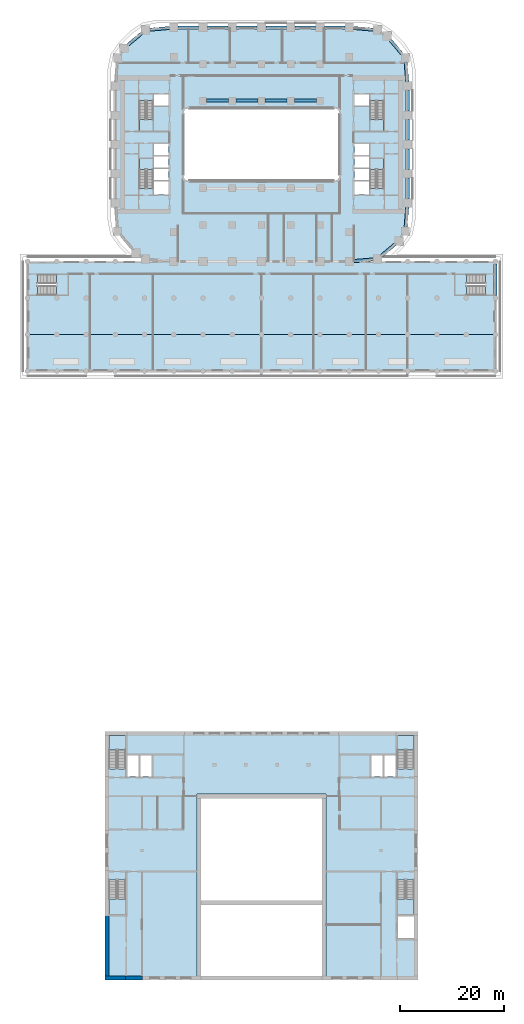
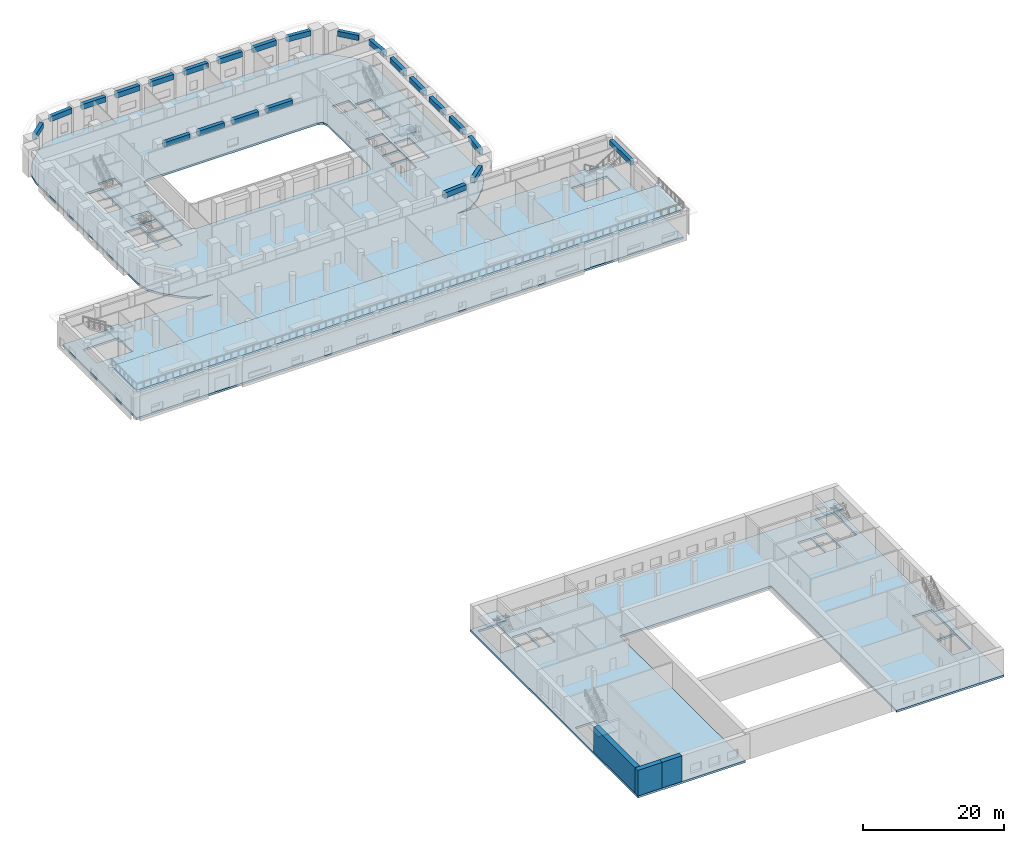
# One storey, part 2 of 23: 23 beams, 13 slabs, 3 walls, 10 elements without a shape of their own.
"""IFC4 building model written with IfcOpenShell, lengths in metres."""

from ifc_helpers import new_model, si_unit, direction, frame, frame_2d, origin, origin_2d, place, context, subcontext, project, spatial, polyline, rectangle, outline, extrude, material, layer, layer_set, material_profile, profile_set, type_object, element, aggregate, save


model = new_model("IFC4")

# Units and contexts
model_context = context("Model", 3, precision=1e-05, world=origin(), true_north=direction((0.0, 1.0)))
body_context = subcontext(model_context, "Body", "Model", "MODEL_VIEW")
ifc_project = project(units=[si_unit("LENGTHUNIT", "METRE"), si_unit("AREAUNIT", "SQUARE_METRE"), si_unit("VOLUMEUNIT", "CUBIC_METRE"), si_unit("PLANEANGLEUNIT", "RADIAN"), si_unit("MASSUNIT", "GRAM", prefix="KILO")], contexts=[model_context])

# Site, building, storey
site_placement = place(None, origin())
site = spatial("IfcSite", under=ifc_project, at=site_placement, CompositionType="ELEMENT")
building_placement = place(site_placement, origin())
building = spatial("IfcBuilding", under=site, at=building_placement, Name="Kiln Ring Residences", CompositionType="ELEMENT")
storey_placement = place(building_placement, frame((0.0, 0.0, 16.10009765625)))
storey = spatial("IfcBuildingStorey", under=building, at=storey_placement, Name="L03", CompositionType="ELEMENT", Elevation=16.10009765625)

# Beams
ifc_material_1 = material(Name="Concrete C50/60", Category="concrete")
ifc_material_profile_1 = material_profile(ifc_material_1, rectangle(XDim=0.60009765625, YDim=0.800048828125, at=origin_2d()), Name="RC600x800")
ifc_profile_set_1 = profile_set([ifc_material_profile_1], Name="Concrete C50/60")
beam_type_1 = type_object("IfcBeamType", Name="Ring beam RC600x800 C50/60", PredefinedType="BEAM", material=ifc_profile_set_1)
beam_1_placement = place(storey_placement, frame((44.800048828125, -22.89990234375, 4.0498046875), z_axis=(0.0, -1.0, 0.0), x_axis=(1.0, 0.0, 0.0)))
element("IfcBeam", 1, at=beam_1_placement, inside=storey, type_object=beam_type_1, Name="Ring beam L03 20", PredefinedType="BEAM", context=body_context, shape_type="SweptSolid", body=[
    extrude(rectangle(XDim=0.60009765625, YDim=0.800048828125, at=origin_2d()), origin(), (0.0, 0.0, 1.0), 6.0),
])
for number, where, z_axis, x_axis, name in (
    (2, (-10.5, 8.39990234375, 4.0498046875), (1.0, 0.0, 0.0), (0.0, 1.0, 0.0), "Ring beam L03 27"),
    (3, (-4.89990234375, 8.39990234375, 4.0498046875), (1.0, 0.0, 0.0), (0.0, 1.0, 0.0), "Ring beam L03 28"),
    (4, (0.699951171875, 8.39990234375, 4.0498046875), (1.0, 0.0, 0.0), (0.0, 1.0, 0.0), "Ring beam L03 29"),
    (5, (6.300048828125, 8.39990234375, 4.0498046875), (1.0, 0.0, 0.0), (0.0, 1.0, 0.0), "Ring beam L03 30"),
):
    element("IfcBeam", number, at=place(storey_placement, frame(where, z_axis=z_axis, x_axis=x_axis)), inside=storey, type_object=beam_type_1, Name=name, PredefinedType="BEAM", context=body_context, shape_type="SweptSolid", body=[
        extrude(rectangle(XDim=0.60009765625, YDim=0.800048828125, at=origin_2d()), origin(), (0.0, 0.0, 1.0), 4.199951171875),
    ])
ifc_material_2 = material(Name="Concrete C50/60", Category="concrete")
ifc_material_profile_2 = material_profile(ifc_material_2, rectangle(XDim=0.60009765625, YDim=0.89990234375, at=origin_2d()), Name="RC600x900")
ifc_profile_set_2 = profile_set([ifc_material_profile_2], Name="Concrete C50/60")
beam_type_2 = type_object("IfcBeamType", Name="Spandrel beam RC600x900 C50/60", PredefinedType="SPANDREL", material=ifc_profile_set_2)
beam_2_placement = place(storey_placement, frame((17.64990234375, -22.327392578125, 4.0), z_axis=(0.996374977292, 0.08506999839, 0.0), x_axis=(-0.08506999839, 0.996374977292, 0.0)))
element("IfcBeam", 6, at=beam_2_placement, inside=storey, type_object=beam_type_2, Name="Spandrel beam L03 8", PredefinedType="SPANDREL", context=body_context, shape_type="SweptSolid", body=[
    extrude(rectangle(XDim=0.60009765625, YDim=0.89990234375, at=origin_2d()), origin(), (0.0, 0.0, 1.0), 3.72216796875),
])
beam_3_placement = place(storey_placement, frame((23.05859375, -21.221923828125, 4.0), z_axis=(0.764713647219, 0.644370264489, 0.0), x_axis=(-0.644370264489, 0.764713647219, 0.0)))
element("IfcBeam", 7, at=beam_3_placement, inside=storey, type_object=beam_type_2, Name="Spandrel beam L03 9", PredefinedType="SPANDREL", context=body_context, shape_type="SweptSolid", body=[
    extrude(rectangle(XDim=0.60009765625, YDim=0.89990234375, at=origin_2d()), origin(), (0.0, 0.0, 1.0), 3.205322265625),
])
beam_4_placement = place(storey_placement, frame((27.610595703125, -15.7587890625, 4.0), z_axis=(0.085135112999, 0.996369415696, 0.0), x_axis=(-0.996369415696, 0.085135112999, 0.0)))
element("IfcBeam", 8, at=beam_4_placement, inside=storey, type_object=beam_type_2, Name="Spandrel beam L03 10", PredefinedType="SPANDREL", context=body_context, shape_type="SweptSolid", body=[
    extrude(rectangle(XDim=0.60009765625, YDim=0.89990234375, at=origin_2d()), origin(), (0.0, 0.0, 1.0), 3.72216796875),
])
beam_5_placement = place(storey_placement, frame((28.0, -10.35009765625, 4.0), z_axis=(0.0, 1.0, 0.0), x_axis=(-1.0, 0.0, 0.0)))
element("IfcBeam", 9, at=beam_5_placement, inside=storey, type_object=beam_type_2, Name="Spandrel beam L03 11", PredefinedType="SPANDREL", context=body_context, shape_type="SweptSolid", body=[
    extrude(rectangle(XDim=0.60009765625, YDim=0.89990234375, at=origin_2d()), origin(), (0.0, 0.0, 1.0), 3.900146484375),
])
for number, where, z_axis, x_axis, name in (
    (10, (28.0, -4.75, 4.0), (0.0, 1.0, 0.0), (-1.0, 0.0, 0.0), "Spandrel beam L03 12"),
    (11, (28.0, 0.85009765625, 4.0), (0.0, 1.0, 0.0), (-1.0, 0.0, 0.0), "Spandrel beam L03 13"),
):
    element("IfcBeam", number, at=place(storey_placement, frame(where, z_axis=z_axis, x_axis=x_axis)), inside=storey, type_object=beam_type_2, Name=name, PredefinedType="SPANDREL", context=body_context, shape_type="SweptSolid", body=[
        extrude(rectangle(XDim=0.60009765625, YDim=0.89990234375, at=origin_2d()), origin(), (0.0, 0.0, 1.0), 3.89990234375),
    ])
beam_6_placement = place(storey_placement, frame((28.0, 6.449951171875, 4.0), z_axis=(0.0, 1.0, 0.0), x_axis=(-1.0, 0.0, 0.0)))
element("IfcBeam", 12, at=beam_6_placement, inside=storey, type_object=beam_type_2, Name="Spandrel beam L03 14", PredefinedType="SPANDREL", context=body_context, shape_type="SweptSolid", body=[
    extrude(rectangle(XDim=0.60009765625, YDim=0.89990234375, at=origin_2d()), origin(), (0.0, 0.0, 1.0), 3.900146484375),
])
beam_7_placement = place(storey_placement, frame((27.927490234375, 12.050048828125, 4.0), z_axis=(-0.085135112999, 0.996369415696, 0.0), x_axis=(-0.996369415696, -0.085135112999, 0.0)))
element("IfcBeam", 13, at=beam_7_placement, inside=storey, type_object=beam_type_2, Name="Spandrel beam L03 15", PredefinedType="SPANDREL", context=body_context, shape_type="SweptSolid", body=[
    extrude(rectangle(XDim=0.60009765625, YDim=0.89990234375, at=origin_2d()), origin(), (0.0, 0.0, 1.0), 3.72216796875),
])
beam_8_placement = place(storey_placement, frame((26.82177734375, 17.458740234375, 4.0), z_axis=(-0.644370264489, 0.764713647219, 0.0), x_axis=(-0.764713647219, -0.644370264489, 0.0)))
element("IfcBeam", 14, at=beam_8_placement, inside=storey, type_object=beam_type_2, Name="Spandrel beam L03 16", PredefinedType="SPANDREL", context=body_context, shape_type="SweptSolid", body=[
    extrude(rectangle(XDim=0.60009765625, YDim=0.89990234375, at=origin_2d()), origin(), (0.0, 0.0, 1.0), 3.205322265625),
])
beam_9_placement = place(storey_placement, frame((21.358642578125, 22.0107421875, 4.0), z_axis=(-0.996374977292, 0.08506999839, 0.0), x_axis=(-0.08506999839, -0.996374977292, 0.0)))
element("IfcBeam", 15, at=beam_9_placement, inside=storey, type_object=beam_type_2, Name="Spandrel beam L03 17", PredefinedType="SPANDREL", context=body_context, shape_type="SweptSolid", body=[
    extrude(rectangle(XDim=0.60009765625, YDim=0.89990234375, at=origin_2d()), origin(), (0.0, 0.0, 1.0), 3.72216796875),
])
beam_10_placement = place(storey_placement, frame((15.949951171875, 22.39990234375, 4.0), z_axis=(-1.0, 0.0, 0.0), x_axis=(0.0, -1.0, 0.0)))
element("IfcBeam", 16, at=beam_10_placement, inside=storey, type_object=beam_type_2, Name="Spandrel beam L03 18", PredefinedType="SPANDREL", context=body_context, shape_type="SweptSolid", body=[
    extrude(rectangle(XDim=0.60009765625, YDim=0.89990234375, at=origin_2d()), origin(), (0.0, 0.0, 1.0), 3.89990234375),
])
beam_11_placement = place(storey_placement, frame((10.35009765625, 22.39990234375, 4.0), z_axis=(-1.0, 0.0, 0.0), x_axis=(0.0, -1.0, 0.0)))
element("IfcBeam", 17, at=beam_11_placement, inside=storey, type_object=beam_type_2, Name="Spandrel beam L03 19", PredefinedType="SPANDREL", context=body_context, shape_type="SweptSolid", body=[
    extrude(rectangle(XDim=0.60009765625, YDim=0.89990234375, at=origin_2d()), origin(), (0.0, 0.0, 1.0), 3.900146484375),
])
for number, where, z_axis, x_axis, name in (
    (18, (4.75, 22.39990234375, 4.0), (-1.0, 0.0, 0.0), (0.0, -1.0, 0.0), "Spandrel beam L03 20"),
    (19, (-0.85009765625, 22.39990234375, 4.0), (-1.0, 0.0, 0.0), (0.0, -1.0, 0.0), "Spandrel beam L03 21"),
):
    element("IfcBeam", number, at=place(storey_placement, frame(where, z_axis=z_axis, x_axis=x_axis)), inside=storey, type_object=beam_type_2, Name=name, PredefinedType="SPANDREL", context=body_context, shape_type="SweptSolid", body=[
        extrude(rectangle(XDim=0.60009765625, YDim=0.89990234375, at=origin_2d()), origin(), (0.0, 0.0, 1.0), 3.89990234375),
    ])
beam_12_placement = place(storey_placement, frame((-6.449951171875, 22.39990234375, 4.0), z_axis=(-1.0, 0.0, 0.0), x_axis=(0.0, -1.0, 0.0)))
element("IfcBeam", 20, at=beam_12_placement, inside=storey, type_object=beam_type_2, Name="Spandrel beam L03 22", PredefinedType="SPANDREL", context=body_context, shape_type="SweptSolid", body=[
    extrude(rectangle(XDim=0.60009765625, YDim=0.89990234375, at=origin_2d()), origin(), (0.0, 0.0, 1.0), 3.900146484375),
])
beam_13_placement = place(storey_placement, frame((-12.050048828125, 22.39990234375, 4.0), z_axis=(-1.0, 0.0, 0.0), x_axis=(0.0, -1.0, 0.0)))
element("IfcBeam", 21, at=beam_13_placement, inside=storey, type_object=beam_type_2, Name="Spandrel beam L03 23", PredefinedType="SPANDREL", context=body_context, shape_type="SweptSolid", body=[
    extrude(rectangle(XDim=0.60009765625, YDim=0.89990234375, at=origin_2d()), origin(), (0.0, 0.0, 1.0), 3.89990234375),
])
beam_14_placement = place(storey_placement, frame((-17.64990234375, 22.327392578125, 4.0), z_axis=(-0.996374977292, -0.08506999839, 0.0), x_axis=(0.08506999839, -0.996374977292, 0.0)))
element("IfcBeam", 22, at=beam_14_placement, inside=storey, type_object=beam_type_2, Name="Spandrel beam L03 24", PredefinedType="SPANDREL", context=body_context, shape_type="SweptSolid", body=[
    extrude(rectangle(XDim=0.60009765625, YDim=0.89990234375, at=origin_2d()), origin(), (0.0, 0.0, 1.0), 3.72216796875),
])
beam_15_placement = place(storey_placement, frame((-23.05859375, 21.221923828125, 4.0), z_axis=(-0.764713647219, -0.644370264489, 0.0), x_axis=(0.644370264489, -0.764713647219, 0.0)))
element("IfcBeam", 23, at=beam_15_placement, inside=storey, type_object=beam_type_2, Name="Spandrel beam L03 25", PredefinedType="SPANDREL", context=body_context, shape_type="SweptSolid", body=[
    extrude(rectangle(XDim=0.60009765625, YDim=0.89990234375, at=origin_2d()), origin(), (0.0, 0.0, 1.0), 3.205322265625),
])

# Stair, slab
ifc_material_3 = material(Name="Concrete C40/50", Category="concrete")
stair_type_1 = type_object("IfcStairType", Name="CORE-STAIR", PredefinedType="HALF_TURN_STAIR", material=ifc_material_3)
placement_1 = place(storey_placement, origin())
stair_1 = element("IfcStair", 24, at=placement_1, inside=storey, type_object=stair_type_1, Name="L03 stair W-STN", PredefinedType="HALF_TURN_STAIR")
ifc_material_4 = material(Name="Concrete C40/50", Category="concrete")
ifc_layer_1 = layer(ifc_material_4, 0.199951171875)
ifc_layer_set_1 = layer_set([ifc_layer_1], Name="CORE-STAIR-LANDING")
slab_type_1 = type_object("IfcSlabType", Name="CORE-STAIR-LANDING", PredefinedType="LANDING", material=ifc_layer_set_1)
placement_2 = place(storey_placement, frame((0.0, 0.0, 2.199951171875)))
slab_1 = element("IfcSlab", 25, at=placement_2, type_object=slab_type_1, Name="W-STN landing 1", PredefinedType="LANDING", context=body_context, shape_type="SweptSolid", body=[
    extrude(outline(polyline([(-23.39990234375, 4.760009765625), (-23.39990234375, 2.60009765625), (-20.800048828125, 2.60009765625), (-20.800048828125, 4.760009765625), (-23.39990234375, 4.760009765625)])), origin(), (0.0, 0.0, 1.0), 0.199951171875),
])
aggregate(stair_1, [slab_1])

stair_2 = element("IfcStair", 26, at=placement_1, inside=storey, type_object=stair_type_1, Name="L03 stair W-STS", PredefinedType="HALF_TURN_STAIR")
slab_2 = element("IfcSlab", 27, at=placement_2, type_object=slab_type_1, Name="W-STS landing 1", PredefinedType="LANDING", context=body_context, shape_type="SweptSolid", body=[
    extrude(outline(polyline([(-20.800048828125, -4.760009765625), (-20.800048828125, -2.699951171875), (-23.39990234375, -2.699951171875), (-23.39990234375, -4.760009765625), (-20.800048828125, -4.760009765625)])), origin(), (0.0, 0.0, 1.0), 0.199951171875),
])
aggregate(stair_2, [slab_2])

stair_3 = element("IfcStair", 28, at=placement_1, inside=storey, type_object=stair_type_1, Name="L03 stair E-STN", PredefinedType="HALF_TURN_STAIR")
slab_3 = element("IfcSlab", 29, at=placement_2, type_object=slab_type_1, Name="E-STN landing 1", PredefinedType="LANDING", context=body_context, shape_type="SweptSolid", body=[
    extrude(outline(polyline([(20.800048828125, 4.760009765625), (20.800048828125, 2.60009765625), (23.39990234375, 2.60009765625), (23.39990234375, 4.760009765625), (20.800048828125, 4.760009765625)])), origin(), (0.0, 0.0, 1.0), 0.199951171875),
])
aggregate(stair_3, [slab_3])

stair_4 = element("IfcStair", 30, at=placement_1, inside=storey, type_object=stair_type_1, Name="L03 stair E-STS", PredefinedType="HALF_TURN_STAIR")
slab_4 = element("IfcSlab", 31, at=placement_2, type_object=slab_type_1, Name="E-STS landing 1", PredefinedType="LANDING", context=body_context, shape_type="SweptSolid", body=[
    extrude(outline(polyline([(23.39990234375, -4.760009765625), (23.39990234375, -2.699951171875), (20.800048828125, -2.699951171875), (20.800048828125, -4.760009765625), (23.39990234375, -4.760009765625)])), origin(), (0.0, 0.0, 1.0), 0.199951171875),
])
aggregate(stair_4, [slab_4])

# Slabs
ifc_material_5 = material(Name="Concrete C40/50", Category="concrete")
ifc_layer_2 = layer(ifc_material_5, 0.35009765625)
ifc_layer_set_2 = layer_set([ifc_layer_2], Name="Floor slab 350")
slab_type_2 = type_object("IfcSlabType", Name="Floor slab 350", PredefinedType="FLOOR", material=ifc_layer_set_2)
placement_3 = place(storey_placement, frame((0.0, 0.0, -0.35009765625)))
element("IfcSlab", 32, at=placement_3, inside=storey, type_object=slab_type_2, Name="Floor slab L03 1", PredefinedType="FLOOR", context=body_context, shape_type="SweptSolid", body=[
    extrude(outline(polyline([(44.800048828125, -43.39990234375), (44.800048828125, -22.39990234375), (20.0, -22.39990234375), (22.224365234375, -21.975830078125), (24.09716796875, -20.702880859375), (26.302978515625, -18.4970703125), (27.57568359375, -16.624267578125), (28.0, -14.39990234375), (28.0, 14.39990234375), (27.57568359375, 16.624267578125), (26.302978515625, 18.4970703125), (24.09716796875, 20.702880859375), (22.224365234375, 21.975830078125), (20.0, 22.39990234375), (-20.0, 22.39990234375), (-22.224365234375, 21.975830078125), (-24.09716796875, 20.702880859375), (-26.302978515625, 18.4970703125), (-27.57568359375, 16.624267578125), (-28.0, 14.39990234375), (-28.0, -14.39990234375), (-27.57568359375, -16.624267578125), (-26.302978515625, -18.4970703125), (-24.09716796875, -20.702880859375), (-22.224365234375, -21.975830078125), (-20.0, -22.39990234375), (-44.800048828125, -22.39990234375), (-44.800048828125, -43.39990234375), (44.800048828125, -43.39990234375)]), holes=[polyline([(-14.699951171875, -6.699951171875), (-15.0, -5.800048828125), (-15.0, 5.800048828125), (-14.699951171875, 6.699951171875), (-13.800048828125, 7.0), (13.800048828125, 7.0), (14.699951171875, 6.699951171875), (15.0, 5.800048828125), (15.0, -5.800048828125), (14.699951171875, -6.699951171875), (13.800048828125, -7.0), (-13.800048828125, -7.0), (-14.699951171875, -6.699951171875)]), polyline([(42.89794921875, -24.89990234375), (42.89794921875, -28.800048828125), (37.10009765625, -28.800048828125), (37.10009765625, -24.89990234375), (42.89794921875, -24.89990234375)]), polyline([(20.800048828125, -8.39794921875), (20.800048828125, -2.699951171875), (23.39990234375, -2.699951171875), (23.39990234375, -8.39794921875), (20.800048828125, -8.39794921875)]), polyline([(20.800048828125, 2.60009765625), (20.800048828125, 8.39794921875), (23.39990234375, 8.39794921875), (23.39990234375, 2.60009765625), (20.800048828125, 2.60009765625)]), polyline([(17.800048828125, -9.60009765625), (17.800048828125, -7.050048828125), (20.60009765625, -7.050048828125), (20.60009765625, -9.60009765625), (17.800048828125, -9.60009765625)]), polyline([(17.800048828125, -6.85009765625), (17.800048828125, -4.64990234375), (20.60009765625, -4.64990234375), (20.60009765625, -6.85009765625), (17.800048828125, -6.85009765625)]), polyline([(17.800048828125, -4.449951171875), (17.800048828125, -2.25), (20.60009765625, -2.25), (20.60009765625, -4.449951171875), (17.800048828125, -4.449951171875)]), polyline([(17.800048828125, -2.050048828125), (17.800048828125, 0.14990234375), (20.60009765625, 0.14990234375), (20.60009765625, -2.050048828125), (17.800048828125, -2.050048828125)]), polyline([(17.800048828125, 7.39990234375), (17.800048828125, 9.60009765625), (20.60009765625, 9.60009765625), (20.60009765625, 7.39990234375), (17.800048828125, 7.39990234375)]), polyline([(-17.800048828125, -9.60009765625), (-20.60009765625, -9.60009765625), (-20.60009765625, -7.050048828125), (-17.800048828125, -7.050048828125), (-17.800048828125, -9.60009765625)]), polyline([(-17.800048828125, -6.85009765625), (-20.60009765625, -6.85009765625), (-20.60009765625, -4.64990234375), (-17.800048828125, -4.64990234375), (-17.800048828125, -6.85009765625)]), polyline([(-17.800048828125, -4.449951171875), (-20.60009765625, -4.449951171875), (-20.60009765625, -2.25), (-17.800048828125, -2.25), (-17.800048828125, -4.449951171875)]), polyline([(-17.800048828125, -2.050048828125), (-20.60009765625, -2.050048828125), (-20.60009765625, 0.14990234375), (-17.800048828125, 0.14990234375), (-17.800048828125, -2.050048828125)]), polyline([(-17.800048828125, 7.39990234375), (-20.60009765625, 7.39990234375), (-20.60009765625, 9.60009765625), (-17.800048828125, 9.60009765625), (-17.800048828125, 7.39990234375)]), polyline([(-20.800048828125, -8.39794921875), (-23.39990234375, -8.39794921875), (-23.39990234375, -2.699951171875), (-20.800048828125, -2.699951171875), (-20.800048828125, -8.39794921875)]), polyline([(-20.800048828125, 2.60009765625), (-23.39990234375, 2.60009765625), (-23.39990234375, 8.39794921875), (-20.800048828125, 8.39794921875), (-20.800048828125, 2.60009765625)]), polyline([(-42.89794921875, -28.800048828125), (-42.89794921875, -24.89990234375), (-37.10009765625, -24.89990234375), (-37.10009765625, -28.800048828125), (-42.89794921875, -28.800048828125)])]), origin(), (0.0, 0.0, 1.0), 0.35009765625),
])
ifc_material_6 = material(Name="Concrete C40/50", Category="concrete")
ifc_layer_3 = layer(ifc_material_6, 0.35009765625)
ifc_layer_set_3 = layer_set([ifc_layer_3], Name="Hall reinforced concrete C40/50 floor slab 350")
slab_type_3 = type_object("IfcSlabType", Name="Hall reinforced concrete C40/50 floor slab 350", PredefinedType="FLOOR", material=ifc_layer_set_3)
element("IfcSlab", 33, at=placement_3, inside=storey, type_object=slab_type_3, Name="Hall floor slab L03", PredefinedType="FLOOR", context=body_context, shape_type="SweptSolid", body=[
    extrude(outline(polyline([(-30.0, -112.39990234375), (30.0, -112.39990234375), (30.0, -160.0), (12.39990234375, -160.0), (12.39990234375, -124.39990234375), (-12.39990234375, -124.39990234375), (-12.39990234375, -160.0), (-30.0, -160.0), (-30.0, -112.39990234375)]), holes=[polyline([(-23.550048828125, -116.949951171875), (-25.75, -116.949951171875), (-25.75, -121.050048828125), (-23.550048828125, -121.050048828125), (-23.550048828125, -116.949951171875)]), polyline([(-23.25, -121.050048828125), (-21.050048828125, -121.050048828125), (-21.050048828125, -116.949951171875), (-23.25, -116.949951171875), (-23.25, -121.050048828125)]), polyline([(23.25, -116.949951171875), (21.050048828125, -116.949951171875), (21.050048828125, -121.050048828125), (23.25, -121.050048828125), (23.25, -116.949951171875)]), polyline([(25.75, -121.050048828125), (25.75, -116.949951171875), (23.550048828125, -116.949951171875), (23.550048828125, -121.050048828125), (25.75, -121.050048828125)]), polyline([(29.199951171875, -147.75), (26.050048828125, -147.75), (26.050048828125, -152.050048828125), (29.199951171875, -152.050048828125), (29.199951171875, -147.75)]), polyline([(-26.050048828125, -119.548095703125), (-26.050048828125, -113.199951171875), (-29.199951171875, -113.199951171875), (-29.199951171875, -119.548095703125), (-26.050048828125, -119.548095703125)]), polyline([(26.050048828125, -119.548095703125), (29.199951171875, -119.548095703125), (29.199951171875, -113.199951171875), (26.050048828125, -113.199951171875), (26.050048828125, -119.548095703125)]), polyline([(-26.050048828125, -147.449951171875), (-26.050048828125, -140.85205078125), (-29.199951171875, -140.85205078125), (-29.199951171875, -147.449951171875), (-26.050048828125, -147.449951171875)]), polyline([(26.050048828125, -147.449951171875), (29.199951171875, -147.449951171875), (29.199951171875, -140.85205078125), (26.050048828125, -140.85205078125), (26.050048828125, -147.449951171875)])]), origin(), (0.0, 0.0, 1.0), 0.35009765625),
])

# Stair, slab
ifc_material_7 = material(Name="Concrete C40/50", Category="concrete")
stair_type_2 = type_object("IfcStairType", Name="Hall reinforced concrete stair", PredefinedType="HALF_TURN_STAIR", material=ifc_material_7)
stair_5 = element("IfcStair", 34, at=placement_1, inside=storey, type_object=stair_type_2, Name="L03 Hall stair ST1", PredefinedType="HALF_TURN_STAIR")
ifc_material_8 = material(Name="Concrete C40/50", Category="concrete")
ifc_layer_4 = layer(ifc_material_8, 0.199951171875)
ifc_layer_set_4 = layer_set([ifc_layer_4], Name="Hall reinforced concrete C40/50 stair landing 200")
slab_type_4 = type_object("IfcSlabType", Name="Hall reinforced concrete C40/50 stair landing 200", PredefinedType="LANDING", material=ifc_layer_set_4)
slab_7 = element("IfcSlab", 35, at=placement_2, type_object=slab_type_4, Name="HALL.ST1 landing 1", PredefinedType="LANDING", context=body_context, shape_type="SweptSolid", body=[
    extrude(outline(polyline([(-26.050048828125, -115.909912109375), (-26.050048828125, -113.199951171875), (-29.199951171875, -113.199951171875), (-29.199951171875, -115.909912109375), (-26.050048828125, -115.909912109375)])), origin(), (0.0, 0.0, 1.0), 0.199951171875),
])
aggregate(stair_5, [slab_7])

stair_6 = element("IfcStair", 36, at=placement_1, inside=storey, type_object=stair_type_2, Name="L03 Hall stair ST2", PredefinedType="HALF_TURN_STAIR")
slab_8 = element("IfcSlab", 37, at=placement_2, type_object=slab_type_4, Name="HALL.ST2 landing 1", PredefinedType="LANDING", context=body_context, shape_type="SweptSolid", body=[
    extrude(outline(polyline([(29.199951171875, -115.909912109375), (29.199951171875, -113.199951171875), (26.050048828125, -113.199951171875), (26.050048828125, -115.909912109375), (29.199951171875, -115.909912109375)])), origin(), (0.0, 0.0, 1.0), 0.199951171875),
])
aggregate(stair_6, [slab_8])

stair_7 = element("IfcStair", 38, at=placement_1, inside=storey, type_object=stair_type_2, Name="L03 Hall stair ST3", PredefinedType="HALF_TURN_STAIR")
slab_9 = element("IfcSlab", 39, at=placement_2, type_object=slab_type_4, Name="HALL.ST3 landing 1", PredefinedType="LANDING", context=body_context, shape_type="SweptSolid", body=[
    extrude(outline(polyline([(-29.199951171875, -144.489990234375), (-29.199951171875, -147.449951171875), (-26.050048828125, -147.449951171875), (-26.050048828125, -144.489990234375), (-29.199951171875, -144.489990234375)])), origin(), (0.0, 0.0, 1.0), 0.199951171875),
])
aggregate(stair_7, [slab_9])

stair_8 = element("IfcStair", 40, at=placement_1, inside=storey, type_object=stair_type_2, Name="L03 Hall stair ST4", PredefinedType="HALF_TURN_STAIR")
slab_10 = element("IfcSlab", 41, at=placement_2, type_object=slab_type_4, Name="HALL.ST4 landing 1", PredefinedType="LANDING", context=body_context, shape_type="SweptSolid", body=[
    extrude(outline(polyline([(26.050048828125, -144.489990234375), (26.050048828125, -147.449951171875), (29.199951171875, -147.449951171875), (29.199951171875, -144.489990234375), (26.050048828125, -144.489990234375)])), origin(), (0.0, 0.0, 1.0), 0.199951171875),
])
aggregate(stair_8, [slab_10])

ifc_material_9 = material(Name="Concrete C40/50", Category="concrete")
stair_type_3 = type_object("IfcStairType", Name="PODIUM-STAIR", PredefinedType="HALF_TURN_STAIR", material=ifc_material_9)
stair_9 = element("IfcStair", 42, at=placement_1, inside=storey, type_object=stair_type_3, Name="L03 exit stair PS-W", PredefinedType="HALF_TURN_STAIR")
ifc_material_10 = material(Name="Concrete C40/50", Category="concrete")
ifc_layer_5 = layer(ifc_material_10, 0.199951171875)
ifc_layer_set_5 = layer_set([ifc_layer_5], Name="PODIUM-STAIR-LANDING")
slab_type_5 = type_object("IfcSlabType", Name="PODIUM-STAIR-LANDING", PredefinedType="LANDING", material=ifc_layer_set_5)
slab_11 = element("IfcSlab", 43, at=placement_2, type_object=slab_type_5, Name="PS-W landing 1", PredefinedType="LANDING", context=body_context, shape_type="SweptSolid", body=[
    extrude(outline(polyline([(-39.260009765625, -28.800048828125), (-37.10009765625, -28.800048828125), (-37.10009765625, -24.89990234375), (-39.260009765625, -24.89990234375), (-39.260009765625, -28.800048828125)])), origin(), (0.0, 0.0, 1.0), 0.199951171875),
])
aggregate(stair_9, [slab_11])

stair_10 = element("IfcStair", 44, at=placement_1, inside=storey, type_object=stair_type_3, Name="L03 exit stair PS-E", PredefinedType="HALF_TURN_STAIR")
slab_12 = element("IfcSlab", 45, at=placement_2, type_object=slab_type_5, Name="PS-E landing 1", PredefinedType="LANDING", context=body_context, shape_type="SweptSolid", body=[
    extrude(outline(polyline([(39.260009765625, -24.89990234375), (37.10009765625, -24.89990234375), (37.10009765625, -28.800048828125), (39.260009765625, -28.800048828125), (39.260009765625, -24.89990234375)])), origin(), (0.0, 0.0, 1.0), 0.199951171875),
])
aggregate(stair_10, [slab_12])

# Slab
ifc_material_11 = material(Name="Concrete C40/50", Category="concrete")
ifc_layer_6 = layer(ifc_material_11, 0.35009765625)
ifc_layer_set_6 = layer_set([ifc_layer_6], Name="Roof slab 350")
slab_type_6 = type_object("IfcSlabType", Name="Roof slab 350", PredefinedType="ROOF", material=ifc_layer_set_6)
slab_13_placement = place(storey_placement, frame((0.0, 0.0, 4.449951171875)))
element("IfcSlab", 46, at=slab_13_placement, inside=storey, type_object=slab_type_6, Name="Roof slab L03 1", PredefinedType="ROOF", context=body_context, shape_type="SweptSolid", body=[
    extrude(outline(polyline([(44.800048828125, -36.400390625), (-44.800048828125, -36.400390625), (-44.800048828125, -43.39990234375), (44.800048828125, -43.39990234375), (44.800048828125, -36.400390625)])), origin(), (0.0, 0.0, 1.0), 0.349853515625),
])

# Walls
ifc_material_12 = material(Name="Concrete C40/50", Category="concrete")
ifc_layer_7 = layer(ifc_material_12, 0.800048828125)
ifc_layer_set_7 = layer_set([ifc_layer_7], Name="Hall Exposed brick-faced reinforced concrete C40/50 wall 800")
wall_type = type_object("IfcWallType", Name="Hall Exposed brick-faced reinforced concrete C40/50 wall 800", PredefinedType="SOLIDWALL", material=ifc_layer_set_7)
wall_1_placement = place(storey_placement, frame((-30.0, -159.60009765625, 0.0), z_axis=(0.0, 0.0, 1.0), x_axis=(1.0, 0.0, 0.0)))
element("IfcWall", 47, at=wall_1_placement, inside=storey, type_object=wall_type, Name="Hall wall L03 1", PredefinedType="SOLIDWALL", context=body_context, shape_type="SweptSolid", body=[
    extrude(rectangle(XDim=4.224853515625, YDim=0.800048828125, at=frame_2d((2.1123046875, 0.0))), origin(), (0.0, 0.0, 1.0), 4.449951171875),
])
wall_2_placement = place(storey_placement, frame((-26.02490234375, -159.60009765625, 0.0), z_axis=(0.0, 0.0, 1.0), x_axis=(1.0, 0.0, 0.0)))
element("IfcWall", 48, at=wall_2_placement, inside=storey, type_object=wall_type, Name="Hall wall L03 2", PredefinedType="SOLIDWALL", context=body_context, shape_type="SweptSolid", body=[
    extrude(rectangle(XDim=3.249755859375, YDim=0.800048828125, at=frame_2d((1.625, 0.0))), origin(), (0.0, 0.0, 1.0), 4.449951171875),
])
wall_3_placement = place(storey_placement, frame((-29.60009765625, -159.199951171875, 0.0), z_axis=(0.0, 0.0, 1.0), x_axis=(0.0, 1.0, 0.0)))
element("IfcWall", 49, at=wall_3_placement, inside=storey, type_object=wall_type, Name="Hall wall L03 31", PredefinedType="SOLIDWALL", context=body_context, shape_type="SweptSolid", body=[
    extrude(rectangle(XDim=11.749755859375, YDim=0.800048828125, at=frame_2d((5.875, 0.0))), origin(), (0.0, 0.0, 1.0), 4.449951171875),
])

save(model, "model.ifc")
